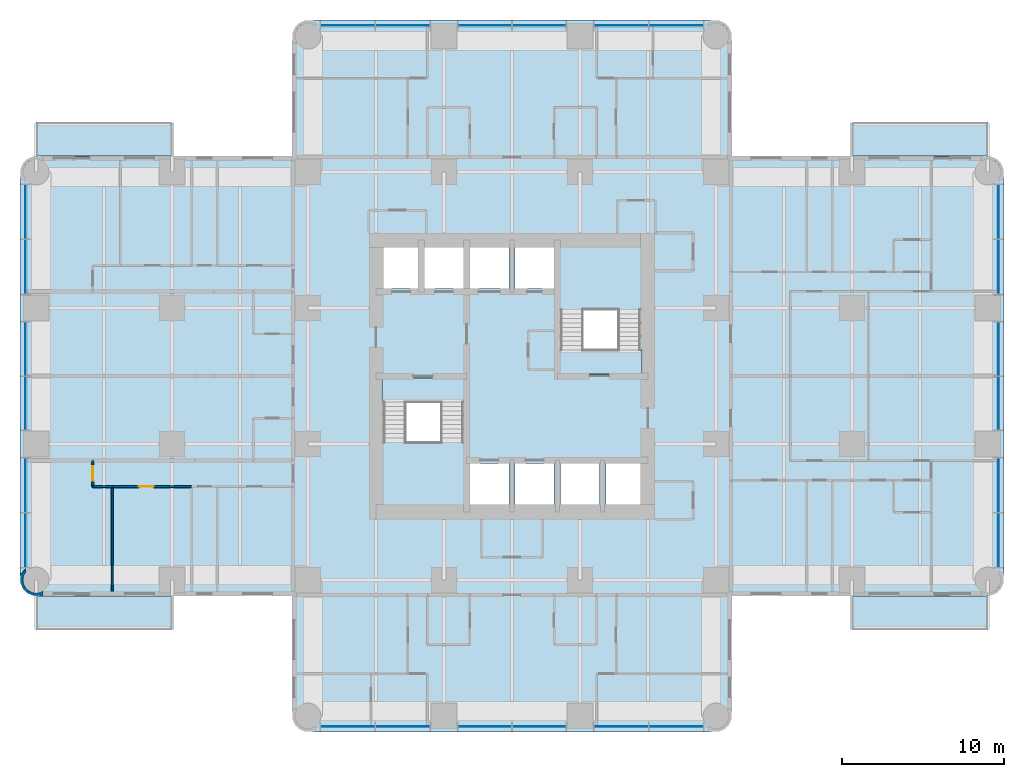
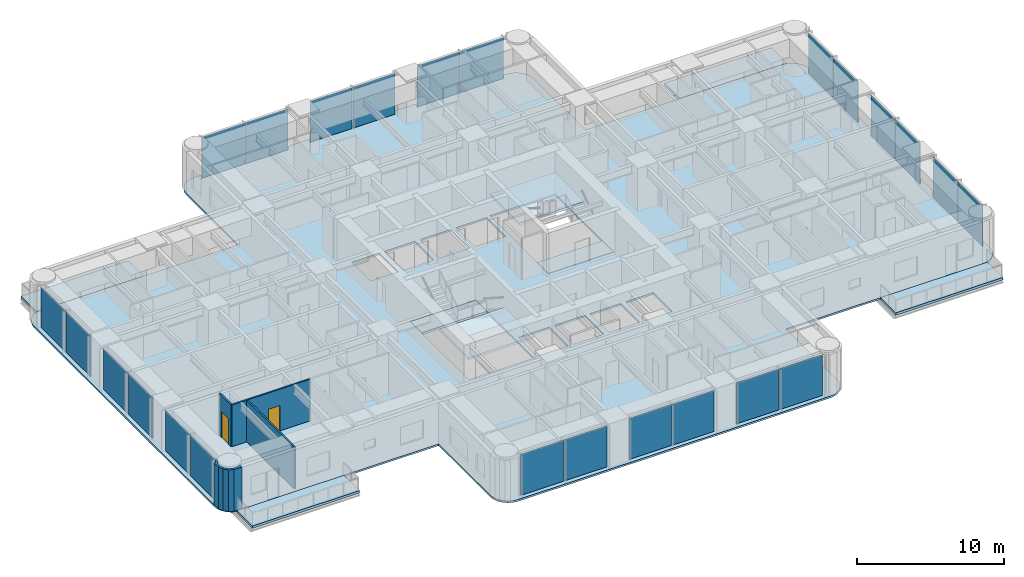
# One storey, part 5 of 14: 24 plates, 9 slabs, 5 walls, 2 doors, 2 openings, 6 elements without a shape of their own.
"""IFC4 building model written with IfcOpenShell, lengths in metres."""

from ifc_helpers import new_model, si_unit, direction, frame, frame_2d, origin, origin_2d, place, context, subcontext, project, spatial, polyline, rectangle, outline, extrude, material, layer, layer_set, type_object, element, fill, aggregate, save


model = new_model("IFC4")

# Units and contexts
model_context = context("Model", 3, precision=1e-05, world=origin(), true_north=direction((0.0, 1.0)))
body_context = subcontext(model_context, "Body", "Model", "MODEL_VIEW")
ifc_project = project(units=[si_unit("LENGTHUNIT", "METRE"), si_unit("AREAUNIT", "SQUARE_METRE"), si_unit("VOLUMEUNIT", "CUBIC_METRE"), si_unit("PLANEANGLEUNIT", "RADIAN"), si_unit("MASSUNIT", "GRAM", prefix="KILO")], contexts=[model_context])

# Site, building, storey
site_placement = place(None, origin())
site = spatial("IfcSite", under=ifc_project, at=site_placement, CompositionType="ELEMENT")
building_placement = place(site_placement, origin())
building = spatial("IfcBuilding", under=site, at=building_placement, Name="Torre Alcanfor", CompositionType="ELEMENT")
storey_placement = place(building_placement, frame((0.0, 0.0, 141.300048828125)))
storey = spatial("IfcBuildingStorey", under=building, at=storey_placement, Name="L36", CompositionType="ELEMENT", Elevation=141.300048828125)

# Slabs
ifc_material_1 = material(Name="Concrete f'c 35 MPa", Category="concrete")
ifc_layer_1 = layer(ifc_material_1, 0.199951171875)
ifc_layer_set_1 = layer_set([ifc_layer_1], Name="Balcony slab 200")
slab_type_1 = type_object("IfcSlabType", Name="Balcony slab 200", PredefinedType="FLOOR", material=ifc_layer_set_1)
slab_1_placement = place(storey_placement, frame((0.0, 0.0, -0.199951171875)))
element("IfcSlab", 1, at=slab_1_placement, inside=storey, type_object=slab_type_1, Name="Balcony L36-E1", PredefinedType="FLOOR", context=body_context, shape_type="SweptSolid", body=[
    extrude(outline(polyline([(50.39990234375, 43.0), (58.800048828125, 43.0), (58.800048828125, 45.10009765625), (50.39990234375, 45.10009765625), (50.39990234375, 43.0)])), origin(), (0.0, 0.0, 1.0), 0.199951171875),
])
slab_2_placement = place(storey_placement, frame((0.0, 0.0, -0.199951171875)))
element("IfcSlab", 2, at=slab_2_placement, inside=storey, type_object=slab_type_1, Name="Balcony L36-E2", PredefinedType="FLOOR", context=body_context, shape_type="SweptSolid", body=[
    extrude(outline(polyline([(50.39990234375, 13.699951171875), (58.800048828125, 13.699951171875), (58.800048828125, 15.800048828125), (50.39990234375, 15.800048828125), (50.39990234375, 13.699951171875)])), origin(), (0.0, 0.0, 1.0), 0.199951171875),
])
slab_3_placement = place(storey_placement, frame((0.0, 0.0, -0.199951171875)))
element("IfcSlab", 3, at=slab_3_placement, inside=storey, type_object=slab_type_1, Name="Balcony L36-W1", PredefinedType="FLOOR", context=body_context, shape_type="SweptSolid", body=[
    extrude(outline(polyline([(8.39990234375, 15.800048828125), (0.0, 15.800048828125), (0.0, 13.699951171875), (8.39990234375, 13.699951171875), (8.39990234375, 15.800048828125)])), origin(), (0.0, 0.0, 1.0), 0.199951171875),
])
slab_4_placement = place(storey_placement, frame((0.0, 0.0, -0.199951171875)))
element("IfcSlab", 4, at=slab_4_placement, inside=storey, type_object=slab_type_1, Name="Balcony L36-W2", PredefinedType="FLOOR", context=body_context, shape_type="SweptSolid", body=[
    extrude(outline(polyline([(8.39990234375, 45.10009765625), (0.0, 45.10009765625), (0.0, 43.0), (8.39990234375, 43.0), (8.39990234375, 45.10009765625)])), origin(), (0.0, 0.0, 1.0), 0.199951171875),
])

# Curtain wall, plates
ifc_material_2 = material(Name="Aluminium and glass", Category="aluminium")
curtain_wall_type = type_object("IfcCurtainWallType", Name="CW-A unitised apartment glazing with vertical FIN", PredefinedType="NOTDEFINED", material=ifc_material_2)
curtain_wall_1_placement = place(storey_placement, origin())
curtain_wall_1 = element("IfcCurtainWall", 5, at=curtain_wall_1_placement, inside=storey, type_object=curtain_wall_type, Name="Curtain wall CW-A L36 2", PredefinedType="NOTDEFINED")
ifc_material_3 = material(Name="Glass", Category="glass")
ifc_layer_2 = layer(ifc_material_3, 0.028076171875)
ifc_layer_set_2 = layer_set([ifc_layer_2], Name="CW-A clear double glazed unit")
plate_type = type_object("IfcPlateType", Name="CW-A clear double glazed unit", PredefinedType="CURTAIN_PANEL", material=ifc_layer_set_2)
plate_1_placement = place(storey_placement, frame((-0.64990234375, 39.541259765625, 0.0), z_axis=(0.0, 0.0, 1.0), x_axis=(0.0, -1.0, 0.0)))
plate_1 = element("IfcPlate", 6, at=plate_1_placement, type_object=plate_type, Name="CW-A panel 1.1.1", PredefinedType="CURTAIN_PANEL", context=body_context, shape_type="SweptSolid", body=[
    extrude(rectangle(XDim=3.337646484375, YDim=0.028076171875, at=origin_2d()), origin(), (0.0, 0.0, 1.0), 3.385009765625),
])
plate_2_placement = place(storey_placement, frame((-0.64990234375, 36.138671875, 0.0), z_axis=(0.0, 0.0, 1.0), x_axis=(0.0, -1.0, 0.0)))
plate_2 = element("IfcPlate", 7, at=plate_2_placement, type_object=plate_type, Name="CW-A panel 1.2.1", PredefinedType="CURTAIN_PANEL", context=body_context, shape_type="SweptSolid", body=[
    extrude(rectangle(XDim=3.337646484375, YDim=0.028076171875, at=origin_2d()), origin(), (0.0, 0.0, 1.0), 3.385009765625),
])
plate_3_placement = place(storey_placement, frame((-0.64990234375, 31.081298828125, 0.0), z_axis=(0.0, 0.0, 1.0), x_axis=(0.0, -1.0, 0.0)))
plate_3 = element("IfcPlate", 8, at=plate_3_placement, type_object=plate_type, Name="CW-A panel 2.1.1", PredefinedType="CURTAIN_PANEL", context=body_context, shape_type="SweptSolid", body=[
    extrude(rectangle(XDim=3.297607421875, YDim=0.028076171875, at=origin_2d()), origin(), (0.0, 0.0, 1.0), 3.385009765625),
])
plate_4_placement = place(storey_placement, frame((-0.64990234375, 27.71875, 0.0), z_axis=(0.0, 0.0, 1.0), x_axis=(0.0, -1.0, 0.0)))
plate_4 = element("IfcPlate", 9, at=plate_4_placement, type_object=plate_type, Name="CW-A panel 2.2.1", PredefinedType="CURTAIN_PANEL", context=body_context, shape_type="SweptSolid", body=[
    extrude(rectangle(XDim=3.297607421875, YDim=0.028076171875, at=origin_2d()), origin(), (0.0, 0.0, 1.0), 3.385009765625),
])
plate_5_placement = place(storey_placement, frame((-0.64990234375, 22.6611328125, 0.0), z_axis=(0.0, 0.0, 1.0), x_axis=(0.0, -1.0, 0.0)))
plate_5 = element("IfcPlate", 10, at=plate_5_placement, type_object=plate_type, Name="CW-A panel 3.1.1", PredefinedType="CURTAIN_PANEL", context=body_context, shape_type="SweptSolid", body=[
    extrude(rectangle(XDim=3.337646484375, YDim=0.028076171875, at=origin_2d()), origin(), (0.0, 0.0, 1.0), 3.385009765625),
])
plate_6_placement = place(storey_placement, frame((-0.64990234375, 19.2587890625, 0.0), z_axis=(0.0, 0.0, 1.0), x_axis=(0.0, -1.0, 0.0)))
plate_6 = element("IfcPlate", 11, at=plate_6_placement, type_object=plate_type, Name="CW-A panel 3.2.1", PredefinedType="CURTAIN_PANEL", context=body_context, shape_type="SweptSolid", body=[
    extrude(rectangle(XDim=3.337646484375, YDim=0.028076171875, at=origin_2d()), origin(), (0.0, 0.0, 1.0), 3.385009765625),
])
aggregate(curtain_wall_1, [plate_1, plate_2, plate_3, plate_4, plate_5, plate_6])

curtain_wall_2_placement = place(storey_placement, origin())
curtain_wall_2 = element("IfcCurtainWall", 12, at=curtain_wall_2_placement, inside=storey, type_object=curtain_wall_type, Name="Curtain wall CW-A L36 5", PredefinedType="NOTDEFINED")
plate_7_placement = place(storey_placement, frame((19.2587890625, 7.75, 0.0), z_axis=(0.0, 0.0, 1.0), x_axis=(1.0, 0.0, 0.0)))
plate_7 = element("IfcPlate", 13, at=plate_7_placement, type_object=plate_type, Name="CW-A panel 1.1.1", PredefinedType="CURTAIN_PANEL", context=body_context, shape_type="SweptSolid", body=[
    extrude(rectangle(XDim=3.337646484375, YDim=0.028076171875, at=origin_2d()), origin(), (0.0, 0.0, 1.0), 3.385009765625),
])
plate_8_placement = place(storey_placement, frame((22.6611328125, 7.75, 0.0), z_axis=(0.0, 0.0, 1.0), x_axis=(1.0, 0.0, 0.0)))
plate_8 = element("IfcPlate", 14, at=plate_8_placement, type_object=plate_type, Name="CW-A panel 1.2.1", PredefinedType="CURTAIN_PANEL", context=body_context, shape_type="SweptSolid", body=[
    extrude(rectangle(XDim=3.337646484375, YDim=0.028076171875, at=origin_2d()), origin(), (0.0, 0.0, 1.0), 3.385009765625),
])
plate_9_placement = place(storey_placement, frame((27.71875, 7.75, 0.0), z_axis=(0.0, 0.0, 1.0), x_axis=(1.0, 0.0, 0.0)))
plate_9 = element("IfcPlate", 15, at=plate_9_placement, type_object=plate_type, Name="CW-A panel 2.1.1", PredefinedType="CURTAIN_PANEL", context=body_context, shape_type="SweptSolid", body=[
    extrude(rectangle(XDim=3.297607421875, YDim=0.028076171875, at=origin_2d()), origin(), (0.0, 0.0, 1.0), 3.385009765625),
])
plate_10_placement = place(storey_placement, frame((31.081298828125, 7.75, 0.0), z_axis=(0.0, 0.0, 1.0), x_axis=(1.0, 0.0, 0.0)))
plate_10 = element("IfcPlate", 16, at=plate_10_placement, type_object=plate_type, Name="CW-A panel 2.2.1", PredefinedType="CURTAIN_PANEL", context=body_context, shape_type="SweptSolid", body=[
    extrude(rectangle(XDim=3.297607421875, YDim=0.028076171875, at=origin_2d()), origin(), (0.0, 0.0, 1.0), 3.385009765625),
])
plate_11_placement = place(storey_placement, frame((36.138671875, 7.75, 0.0), z_axis=(0.0, 0.0, 1.0), x_axis=(1.0, 0.0, 0.0)))
plate_11 = element("IfcPlate", 17, at=plate_11_placement, type_object=plate_type, Name="CW-A panel 3.1.1", PredefinedType="CURTAIN_PANEL", context=body_context, shape_type="SweptSolid", body=[
    extrude(rectangle(XDim=3.337646484375, YDim=0.028076171875, at=origin_2d()), origin(), (0.0, 0.0, 1.0), 3.385009765625),
])
plate_12_placement = place(storey_placement, frame((39.541259765625, 7.75, 0.0), z_axis=(0.0, 0.0, 1.0), x_axis=(1.0, 0.0, 0.0)))
plate_12 = element("IfcPlate", 18, at=plate_12_placement, type_object=plate_type, Name="CW-A panel 3.2.1", PredefinedType="CURTAIN_PANEL", context=body_context, shape_type="SweptSolid", body=[
    extrude(rectangle(XDim=3.337646484375, YDim=0.028076171875, at=origin_2d()), origin(), (0.0, 0.0, 1.0), 3.385009765625),
])
aggregate(curtain_wall_2, [plate_7, plate_8, plate_9, plate_10, plate_11, plate_12])

curtain_wall_3_placement = place(storey_placement, origin())
curtain_wall_3 = element("IfcCurtainWall", 19, at=curtain_wall_3_placement, inside=storey, type_object=curtain_wall_type, Name="Curtain wall CW-A L36 8", PredefinedType="NOTDEFINED")
plate_13_placement = place(storey_placement, frame((59.449951171875, 19.2587890625, 0.0), z_axis=(0.0, 0.0, 1.0), x_axis=(0.0, 1.0, 0.0)))
plate_13 = element("IfcPlate", 20, at=plate_13_placement, type_object=plate_type, Name="CW-A panel 1.1.1", PredefinedType="CURTAIN_PANEL", context=body_context, shape_type="SweptSolid", body=[
    extrude(rectangle(XDim=3.337646484375, YDim=0.028076171875, at=origin_2d()), origin(), (0.0, 0.0, 1.0), 3.385009765625),
])
plate_14_placement = place(storey_placement, frame((59.449951171875, 22.6611328125, 0.0), z_axis=(0.0, 0.0, 1.0), x_axis=(0.0, 1.0, 0.0)))
plate_14 = element("IfcPlate", 21, at=plate_14_placement, type_object=plate_type, Name="CW-A panel 1.2.1", PredefinedType="CURTAIN_PANEL", context=body_context, shape_type="SweptSolid", body=[
    extrude(rectangle(XDim=3.337646484375, YDim=0.028076171875, at=origin_2d()), origin(), (0.0, 0.0, 1.0), 3.385009765625),
])
plate_15_placement = place(storey_placement, frame((59.449951171875, 27.71875, 0.0), z_axis=(0.0, 0.0, 1.0), x_axis=(0.0, 1.0, 0.0)))
plate_15 = element("IfcPlate", 22, at=plate_15_placement, type_object=plate_type, Name="CW-A panel 2.1.1", PredefinedType="CURTAIN_PANEL", context=body_context, shape_type="SweptSolid", body=[
    extrude(rectangle(XDim=3.297607421875, YDim=0.028076171875, at=origin_2d()), origin(), (0.0, 0.0, 1.0), 3.385009765625),
])
plate_16_placement = place(storey_placement, frame((59.449951171875, 31.081298828125, 0.0), z_axis=(0.0, 0.0, 1.0), x_axis=(0.0, 1.0, 0.0)))
plate_16 = element("IfcPlate", 23, at=plate_16_placement, type_object=plate_type, Name="CW-A panel 2.2.1", PredefinedType="CURTAIN_PANEL", context=body_context, shape_type="SweptSolid", body=[
    extrude(rectangle(XDim=3.297607421875, YDim=0.028076171875, at=origin_2d()), origin(), (0.0, 0.0, 1.0), 3.385009765625),
])
plate_17_placement = place(storey_placement, frame((59.449951171875, 36.138671875, 0.0), z_axis=(0.0, 0.0, 1.0), x_axis=(0.0, 1.0, 0.0)))
plate_17 = element("IfcPlate", 24, at=plate_17_placement, type_object=plate_type, Name="CW-A panel 3.1.1", PredefinedType="CURTAIN_PANEL", context=body_context, shape_type="SweptSolid", body=[
    extrude(rectangle(XDim=3.337646484375, YDim=0.028076171875, at=origin_2d()), origin(), (0.0, 0.0, 1.0), 3.385009765625),
])
plate_18_placement = place(storey_placement, frame((59.449951171875, 39.541259765625, 0.0), z_axis=(0.0, 0.0, 1.0), x_axis=(0.0, 1.0, 0.0)))
plate_18 = element("IfcPlate", 25, at=plate_18_placement, type_object=plate_type, Name="CW-A panel 3.2.1", PredefinedType="CURTAIN_PANEL", context=body_context, shape_type="SweptSolid", body=[
    extrude(rectangle(XDim=3.337646484375, YDim=0.028076171875, at=origin_2d()), origin(), (0.0, 0.0, 1.0), 3.385009765625),
])
aggregate(curtain_wall_3, [plate_13, plate_14, plate_15, plate_16, plate_17, plate_18])

curtain_wall_4_placement = place(storey_placement, origin())
curtain_wall_4 = element("IfcCurtainWall", 26, at=curtain_wall_4_placement, inside=storey, type_object=curtain_wall_type, Name="Curtain wall CW-A L36 11", PredefinedType="NOTDEFINED")
plate_19_placement = place(storey_placement, frame((39.541259765625, 51.050048828125, 0.0), z_axis=(0.0, 0.0, 1.0), x_axis=(-1.0, 0.0, 0.0)))
plate_19 = element("IfcPlate", 27, at=plate_19_placement, type_object=plate_type, Name="CW-A panel 1.1.1", PredefinedType="CURTAIN_PANEL", context=body_context, shape_type="SweptSolid", body=[
    extrude(rectangle(XDim=3.337646484375, YDim=0.028076171875, at=origin_2d()), origin(), (0.0, 0.0, 1.0), 3.385009765625),
])
plate_20_placement = place(storey_placement, frame((36.138671875, 51.050048828125, 0.0), z_axis=(0.0, 0.0, 1.0), x_axis=(-1.0, 0.0, 0.0)))
plate_20 = element("IfcPlate", 28, at=plate_20_placement, type_object=plate_type, Name="CW-A panel 1.2.1", PredefinedType="CURTAIN_PANEL", context=body_context, shape_type="SweptSolid", body=[
    extrude(rectangle(XDim=3.337646484375, YDim=0.028076171875, at=origin_2d()), origin(), (0.0, 0.0, 1.0), 3.385009765625),
])
plate_21_placement = place(storey_placement, frame((31.081298828125, 51.050048828125, 0.0), z_axis=(0.0, 0.0, 1.0), x_axis=(-1.0, 0.0, 0.0)))
plate_21 = element("IfcPlate", 29, at=plate_21_placement, type_object=plate_type, Name="CW-A panel 2.1.1", PredefinedType="CURTAIN_PANEL", context=body_context, shape_type="SweptSolid", body=[
    extrude(rectangle(XDim=3.297607421875, YDim=0.028076171875, at=origin_2d()), origin(), (0.0, 0.0, 1.0), 3.385009765625),
])
plate_22_placement = place(storey_placement, frame((27.71875, 51.050048828125, 0.0), z_axis=(0.0, 0.0, 1.0), x_axis=(-1.0, 0.0, 0.0)))
plate_22 = element("IfcPlate", 30, at=plate_22_placement, type_object=plate_type, Name="CW-A panel 2.2.1", PredefinedType="CURTAIN_PANEL", context=body_context, shape_type="SweptSolid", body=[
    extrude(rectangle(XDim=3.297607421875, YDim=0.028076171875, at=origin_2d()), origin(), (0.0, 0.0, 1.0), 3.385009765625),
])
plate_23_placement = place(storey_placement, frame((22.6611328125, 51.050048828125, 0.0), z_axis=(0.0, 0.0, 1.0), x_axis=(-1.0, 0.0, 0.0)))
plate_23 = element("IfcPlate", 31, at=plate_23_placement, type_object=plate_type, Name="CW-A panel 3.1.1", PredefinedType="CURTAIN_PANEL", context=body_context, shape_type="SweptSolid", body=[
    extrude(rectangle(XDim=3.337646484375, YDim=0.028076171875, at=origin_2d()), origin(), (0.0, 0.0, 1.0), 3.385009765625),
])
plate_24_placement = place(storey_placement, frame((19.2587890625, 51.050048828125, 0.0), z_axis=(0.0, 0.0, 1.0), x_axis=(-1.0, 0.0, 0.0)))
plate_24 = element("IfcPlate", 32, at=plate_24_placement, type_object=plate_type, Name="CW-A panel 3.2.1", PredefinedType="CURTAIN_PANEL", context=body_context, shape_type="SweptSolid", body=[
    extrude(rectangle(XDim=3.337646484375, YDim=0.028076171875, at=origin_2d()), origin(), (0.0, 0.0, 1.0), 3.385009765625),
])
aggregate(curtain_wall_4, [plate_19, plate_20, plate_21, plate_22, plate_23, plate_24])

# Slab
ifc_material_4 = material(Name="Concrete f'c 35 MPa", Category="concrete")
ifc_layer_3 = layer(ifc_material_4, 0.14990234375)
ifc_layer_set_3 = layer_set([ifc_layer_3], Name="Composite floor 150 on metal deck")
slab_type_2 = type_object("IfcSlabType", Name="Composite floor 150 on metal deck", PredefinedType="FLOOR", material=ifc_layer_set_3)
slab_5_placement = place(storey_placement, frame((0.0, 0.0, -0.150146484375)))
element("IfcSlab", 33, at=slab_5_placement, inside=storey, type_object=slab_type_2, Name="Floor slab L36", PredefinedType="FLOOR", context=body_context, shape_type="SweptSolid", body=[
    extrude(outline(polyline([(15.800048828125, 43.0), (0.39990234375, 43.0), (0.03759765625, 42.952392578125), (-0.300048828125, 42.8125), (-0.58984375, 42.58984375), (-0.8125, 42.300048828125), (-0.952392578125, 41.96240234375), (-1.0, 41.60009765625), (-1.0, 17.199951171875), (-0.952392578125, 16.837646484375), (-0.8125, 16.5), (-0.58984375, 16.210205078125), (-0.300048828125, 15.987548828125), (0.03759765625, 15.84765625), (0.39990234375, 15.800048828125), (15.800048828125, 15.800048828125), (15.800048828125, 8.800048828125), (15.84765625, 8.437744140625), (15.987548828125, 8.10009765625), (16.210205078125, 7.81005859375), (16.5, 7.587646484375), (16.837646484375, 7.44775390625), (17.199951171875, 7.39990234375), (41.60009765625, 7.39990234375), (41.96240234375, 7.44775390625), (42.300048828125, 7.587646484375), (42.58984375, 7.81005859375), (42.8125, 8.10009765625), (42.952392578125, 8.437744140625), (43.0, 8.800048828125), (43.0, 15.800048828125), (58.39990234375, 15.800048828125), (58.76220703125, 15.84765625), (59.10009765625, 15.987548828125), (59.389892578125, 16.210205078125), (59.6123046875, 16.5), (59.752197265625, 16.837646484375), (59.800048828125, 17.199951171875), (59.800048828125, 41.60009765625), (59.752197265625, 41.96240234375), (59.6123046875, 42.300048828125), (59.389892578125, 42.58984375), (59.10009765625, 42.8125), (58.76220703125, 42.952392578125), (58.39990234375, 43.0), (43.0, 43.0), (43.0, 50.0), (42.952392578125, 50.3623046875), (42.8125, 50.699951171875), (42.58984375, 50.989990234375), (42.300048828125, 51.21240234375), (41.96240234375, 51.352294921875), (41.60009765625, 51.39990234375), (17.199951171875, 51.39990234375), (16.837646484375, 51.352294921875), (16.5, 51.21240234375), (16.210205078125, 50.989990234375), (15.987548828125, 50.699951171875), (15.84765625, 50.3623046875), (15.800048828125, 50.0), (15.800048828125, 43.0)]), holes=[polyline([(21.3701171875, 21.3701171875), (26.47998046875, 21.3701171875), (26.47998046875, 29.280029296875), (21.3701171875, 29.280029296875), (21.3701171875, 21.3701171875)]), polyline([(32.320068359375, 29.52001953125), (37.429931640625, 29.52001953125), (37.429931640625, 37.429931640625), (32.320068359375, 37.429931640625), (32.320068359375, 29.52001953125)]), polyline([(26.800048828125, 21.449951171875), (29.199951171875, 21.449951171875), (29.199951171875, 24.0), (26.800048828125, 24.0), (26.800048828125, 21.449951171875)]), polyline([(29.60009765625, 21.449951171875), (32.0, 21.449951171875), (32.0, 24.0), (29.60009765625, 24.0), (29.60009765625, 21.449951171875)]), polyline([(32.39990234375, 21.449951171875), (34.800048828125, 21.449951171875), (34.800048828125, 24.0), (32.39990234375, 24.0), (32.39990234375, 21.449951171875)]), polyline([(35.199951171875, 21.449951171875), (37.35009765625, 21.449951171875), (37.35009765625, 24.0), (35.199951171875, 24.0), (35.199951171875, 21.449951171875)]), polyline([(21.449951171875, 34.800048828125), (23.60009765625, 34.800048828125), (23.60009765625, 37.35009765625), (21.449951171875, 37.35009765625), (21.449951171875, 34.800048828125)]), polyline([(24.0, 34.800048828125), (26.39990234375, 34.800048828125), (26.39990234375, 37.35009765625), (24.0, 37.35009765625), (24.0, 34.800048828125)]), polyline([(26.800048828125, 34.800048828125), (29.199951171875, 34.800048828125), (29.199951171875, 37.35009765625), (26.800048828125, 37.35009765625), (26.800048828125, 34.800048828125)]), polyline([(29.60009765625, 34.800048828125), (32.0, 34.800048828125), (32.0, 37.35009765625), (29.60009765625, 37.35009765625), (29.60009765625, 34.800048828125)])]), origin(), (0.0, 0.0, 1.0), 0.150146484375),
])

# Stair, slabs
ifc_material_5 = material(Name="Concrete f'c 35 MPa", Category="concrete")
stair_type_1 = type_object("IfcStairType", Name="Exit stair S1 1400 wide", PredefinedType="HALF_TURN_STAIR", material=ifc_material_5)
stair_1_placement = place(storey_placement, origin())
stair_1 = element("IfcStair", 34, at=stair_1_placement, inside=storey, type_object=stair_type_1, Name="Stair S1 L36 to L37", PredefinedType="HALF_TURN_STAIR")
ifc_material_6 = material(Name="Concrete f'c 35 MPa", Category="concrete")
ifc_layer_4 = layer(ifc_material_6, 0.199951171875)
ifc_layer_set_4 = layer_set([ifc_layer_4], Name="Stair landing 200")
slab_type_3 = type_object("IfcSlabType", Name="Stair landing 200", PredefinedType="LANDING", material=ifc_layer_set_4)
slab_6_placement = place(storey_placement, frame((0.0, 0.0, -0.199951171875)))
slab_6 = element("IfcSlab", 35, at=slab_6_placement, type_object=slab_type_3, Name="S1 landing 1", PredefinedType="LANDING", context=body_context, shape_type="SweptSolid", body=[
    extrude(outline(polyline([(21.3701171875, 27.75), (26.47998046875, 27.75), (26.47998046875, 29.280029296875), (21.3701171875, 29.280029296875), (21.3701171875, 27.75)])), origin(), (0.0, 0.0, 1.0), 0.199951171875),
])
slab_7_placement = place(storey_placement, frame((0.0, 0.0, 1.599853515625)))
slab_7 = element("IfcSlab", 36, at=slab_7_placement, type_object=slab_type_3, Name="S1 landing 2", PredefinedType="LANDING", context=body_context, shape_type="SweptSolid", body=[
    extrude(outline(polyline([(21.3701171875, 21.3701171875), (26.47998046875, 21.3701171875), (26.47998046875, 25.330078125), (21.3701171875, 25.330078125), (21.3701171875, 21.3701171875)])), origin(), (0.0, 0.0, 1.0), 0.2001953125),
])
aggregate(stair_1, [slab_6, slab_7])

ifc_material_7 = material(Name="Concrete f'c 35 MPa", Category="concrete")
stair_type_2 = type_object("IfcStairType", Name="Exit stair S2 1400 wide", PredefinedType="HALF_TURN_STAIR", material=ifc_material_7)
stair_2_placement = place(storey_placement, origin())
stair_2 = element("IfcStair", 37, at=stair_2_placement, inside=storey, type_object=stair_type_2, Name="Stair S2 L36 to L37", PredefinedType="HALF_TURN_STAIR")
slab_8_placement = place(storey_placement, frame((0.0, 0.0, -0.199951171875)))
slab_8 = element("IfcSlab", 38, at=slab_8_placement, type_object=slab_type_3, Name="S2 landing 1", PredefinedType="LANDING", context=body_context, shape_type="SweptSolid", body=[
    extrude(outline(polyline([(32.320068359375, 29.52001953125), (37.429931640625, 29.52001953125), (37.429931640625, 31.050048828125), (32.320068359375, 31.050048828125), (32.320068359375, 29.52001953125)])), origin(), (0.0, 0.0, 1.0), 0.199951171875),
])
slab_9_placement = place(storey_placement, frame((0.0, 0.0, 1.599853515625)))
slab_9 = element("IfcSlab", 39, at=slab_9_placement, type_object=slab_type_3, Name="S2 landing 2", PredefinedType="LANDING", context=body_context, shape_type="SweptSolid", body=[
    extrude(outline(polyline([(32.320068359375, 33.469970703125), (37.429931640625, 33.469970703125), (37.429931640625, 37.429931640625), (32.320068359375, 37.429931640625), (32.320068359375, 33.469970703125)])), origin(), (0.0, 0.0, 1.0), 0.2001953125),
])
aggregate(stair_2, [slab_8, slab_9])

# Wall, opening, door
ifc_material_8 = material(Name="Gypsum board on steel studs", Category="steel")
ifc_layer_5 = layer(ifc_material_8, 0.1201171875)
ifc_layer_set_5 = layer_set([ifc_layer_5], Name="Apartment partition 120")
wall_type_1 = type_object("IfcWallType", Name="Apartment partition 120", PredefinedType="PARTITIONING", material=ifc_layer_set_5)
wall_1_placement = place(storey_placement, frame((4.699951171875, 22.571044921875, 0.0), z_axis=(0.0, 0.0, 1.0), x_axis=(1.0, 0.0, 0.0)))
wall_1 = element("IfcWall", 40, at=wall_1_placement, inside=storey, type_object=wall_type_1, Name="Partition L36-W1B-HALL / L36-W1B-MASTER", PredefinedType="PARTITIONING", context=body_context, shape_type="SweptSolid", body=[
    extrude(rectangle(XDim=4.900146484375, YDim=0.1201171875, at=frame_2d((2.4501953125, 0.0))), origin(), (0.0, 0.0, 1.0), 3.449951171875),
])
opening_1_placement = place(wall_1_placement, frame((1.64990234375, 0.0, 0.0)))
opening_1 = element("IfcOpeningElement", 41, at=opening_1_placement, cuts=wall_1, Name="Opening D-R1", PredefinedType="OPENING", context=body_context, shape_type="SweptSolid", body=[
    extrude(rectangle(XDim=0.89990234375, YDim=2.10009765625, at=frame_2d((0.449951171875, 1.050048828125))), frame((0.0, 0.070068359375, 0.0), z_axis=(0.0, -1.0, 0.0), x_axis=(1.0, 0.0, 0.0)), (0.0, 0.0, 1.0), 0.14013671875),
])
ifc_material_9 = material(Name="Timber", Category="wood")
door_type = type_object("IfcDoorType", Name="Internal door 900x2100", OperationType="SINGLE_SWING_LEFT", PredefinedType="DOOR", material=ifc_material_9)
door_1_placement = place(opening_1_placement, frame((0.89990234375, 0.0, 0.0), z_axis=(0.0, 0.0, 1.0), x_axis=(-1.0, 0.0, 0.0)))
door_1 = element("IfcDoor", 42, at=door_1_placement, inside=storey, type_object=door_type, Name="Door L36-W1B master", OperationType="SINGLE_SWING_RIGHT", OverallHeight=2.10009765625, OverallWidth=0.89990234375, PredefinedType="DOOR", context=body_context, shape_type="SweptSolid", body=[
    extrude(rectangle(XDim=0.89990234375, YDim=2.10009765625, at=frame_2d((0.449951171875, 1.050048828125))), frame((0.0, 0.025146484375, 0.0), z_axis=(0.0, -1.0, 0.0), x_axis=(1.0, 0.0, 0.0)), (0.0, 0.0, 1.0), 0.050048828125),
])
fill(opening_1, door_1)

# Wall
wall_2_placement = place(storey_placement, frame((3.5, 22.571044921875, 0.0), z_axis=(0.0, 0.0, 1.0), x_axis=(1.0, 0.0, 0.0)))
element("IfcWall", 43, at=wall_2_placement, inside=storey, type_object=wall_type_1, Name="Partition L36-W1B-HALL / L36-W1B-KITCHEN", PredefinedType="PARTITIONING", context=body_context, shape_type="SweptSolid", body=[
    extrude(rectangle(XDim=1.199951171875, YDim=0.1201171875, at=frame_2d((0.60009765625, 0.0))), origin(), (0.0, 0.0, 1.0), 3.449951171875),
])

# Wall, opening, door
wall_3_placement = place(storey_placement, frame((3.5, 24.1708984375, 0.0), z_axis=(0.0, 0.0, 1.0), x_axis=(0.0, -1.0, 0.0)))
wall_3 = element("IfcWall", 44, at=wall_3_placement, inside=storey, type_object=wall_type_1, Name="Partition L36-W1B-HALL / L36-W1B-LIVING", PredefinedType="PARTITIONING", context=body_context, shape_type="SweptSolid", body=[
    extrude(rectangle(XDim=1.599853515625, YDim=0.1201171875, at=frame_2d((0.7998046875, 0.0))), origin(), (0.0, 0.0, 1.0), 3.449951171875),
])
opening_2_placement = place(wall_3_placement, frame((0.35009765625, 0.0, 0.0)))
opening_2 = element("IfcOpeningElement", 45, at=opening_2_placement, cuts=wall_3, Name="Opening D-R1", PredefinedType="OPENING", context=body_context, shape_type="SweptSolid", body=[
    extrude(rectangle(XDim=0.89990234375, YDim=2.10009765625, at=frame_2d((0.449951171875, 1.050048828125))), frame((0.0, 0.070068359375, 0.0), z_axis=(0.0, -1.0, 0.0), x_axis=(1.0, 0.0, 0.0)), (0.0, 0.0, 1.0), 0.14013671875),
])
door_2_placement = place(opening_2_placement, frame((0.89990234375, 0.0, 0.0), z_axis=(0.0, 0.0, 1.0), x_axis=(-1.0, 0.0, 0.0)))
door_2 = element("IfcDoor", 46, at=door_2_placement, inside=storey, type_object=door_type, Name="Door L36-W1B living", OperationType="SINGLE_SWING_RIGHT", OverallHeight=2.10009765625, OverallWidth=0.89990234375, PredefinedType="DOOR", context=body_context, shape_type="SweptSolid", body=[
    extrude(rectangle(XDim=0.89990234375, YDim=2.10009765625, at=frame_2d((0.449951171875, 1.050048828125))), frame((0.0, 0.025146484375, 0.0), z_axis=(0.0, -1.0, 0.0), x_axis=(1.0, 0.0, 0.0)), (0.0, 0.0, 1.0), 0.050048828125),
])
fill(opening_2, door_2)

# Walls
wall_4_placement = place(storey_placement, frame((4.699951171875, 22.571044921875, 0.0), z_axis=(0.0, 0.0, 1.0), x_axis=(0.0, -1.0, 0.0)))
element("IfcWall", 47, at=wall_4_placement, inside=storey, type_object=wall_type_1, Name="Partition L36-W1B-MASTER / L36-W1B-KITCHEN", PredefinedType="PARTITIONING", context=body_context, shape_type="SweptSolid", body=[
    extrude(rectangle(XDim=6.470947265625, YDim=0.1201171875, at=frame_2d((3.2353515625, 0.0))), origin(), (0.0, 0.0, 1.0), 3.449951171875),
])
ifc_material_10 = material(Name="Limestone cladding", Category="masonry")
ifc_layer_6 = layer(ifc_material_10, 0.0400390625, Name="Facing")
ifc_material_11 = material(Name="Ventilated air cavity")
ifc_layer_7 = layer(ifc_material_11, 0.02001953125, ventilated=True, Name="Ventilated joint")
ifc_material_12 = material(Name="Mineral wool insulation", Category="insulation")
ifc_layer_8 = layer(ifc_material_12, 0.10009765625, Name="Insulation")
ifc_material_13 = material(Name="Concrete f'c 35 MPa", Category="concrete")
ifc_layer_9 = layer(ifc_material_13, 0.139892578125, Name="Backing")
ifc_layer_set_6 = layer_set([ifc_layer_6, ifc_layer_7, ifc_layer_8, ifc_layer_9], Name="Rounded corner pier stone-clad 300")
wall_type_2 = type_object("IfcWallType", Name="Rounded corner pier stone-clad 300", PredefinedType="SOLIDWALL", material=ifc_layer_set_6)
wall_5_placement = place(storey_placement, frame((-0.595317512, 17.448071802, 0.0), z_axis=(0.0, 0.0, 1.0), x_axis=(-0.93923434088, -0.343276641956, 0.0)))
element("IfcWall", 48, at=wall_5_placement, inside=storey, type_object=wall_type_2, Name="Corner pier L36 14", PredefinedType="SOLIDWALL", context=body_context, shape_type="SweptSolid", body=[
    extrude(outline(polyline([(-0.36901687290747565, 1.8895155017116005), (-0.5091640790076659, 1.6212761977701722), (-0.4905903530283585, 1.6144877680830545), (-0.47948243923657013, 1.6086084348003613), (-0.21122522327048593, 1.6199972505432854), (0.08778883447046232, 1.5107119133580826), (0.3225108976454373, 1.2952164137736593), (0.4570343816413681, 1.0061292766156664), (0.470385530542732, 0.6877670550734887), (0.36101638558361415, 0.38852369207353665), (0.14552088599919094, 0.15380162889856172), (0.10803112982284666, 0.13657123594691412), (0.030844170047101382, -0.07461890759558078), (0.24094301513563465, 0.023009904898978376), (0.3335722649355225, 0.12354205241220817), (0.46526570659148436, 0.09412537095504334), (0.5319165148651629, 0.3931255880778293), (0.6305582647631567, 0.6630178779252955), (0.6143066479271062, 1.0445648337608835), (0.4533864294189357, 1.390867848169107), (0.172157378959642, 1.6490946263605986), (-0.09750560562882049, 1.747652568484677), (-0.36901687290747565, 1.8895155017116005)])), origin(), (0.0, 0.0, 1.0), 3.449951171875),
])

save(model, "model.ifc")
